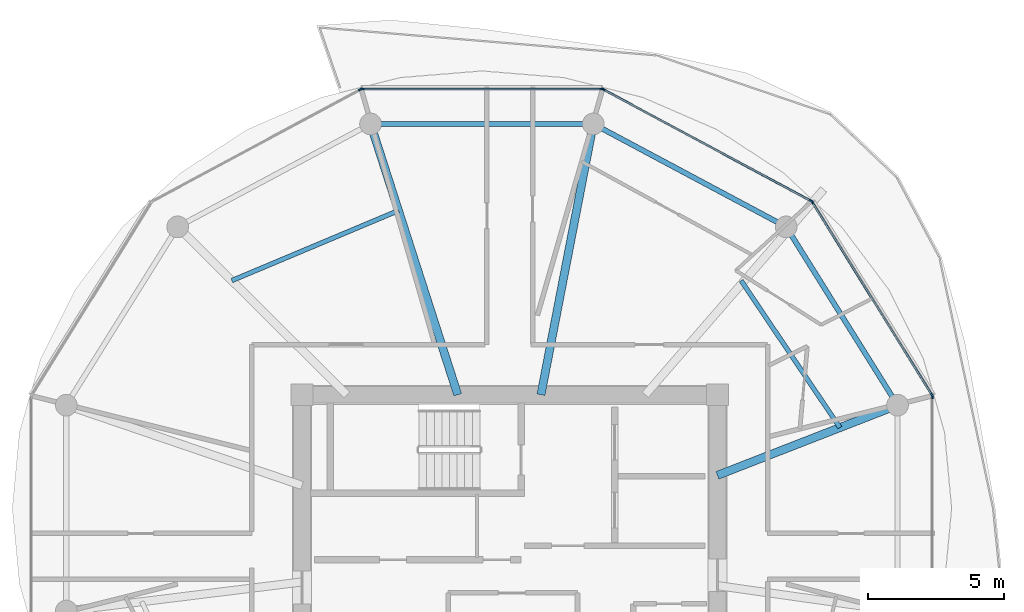
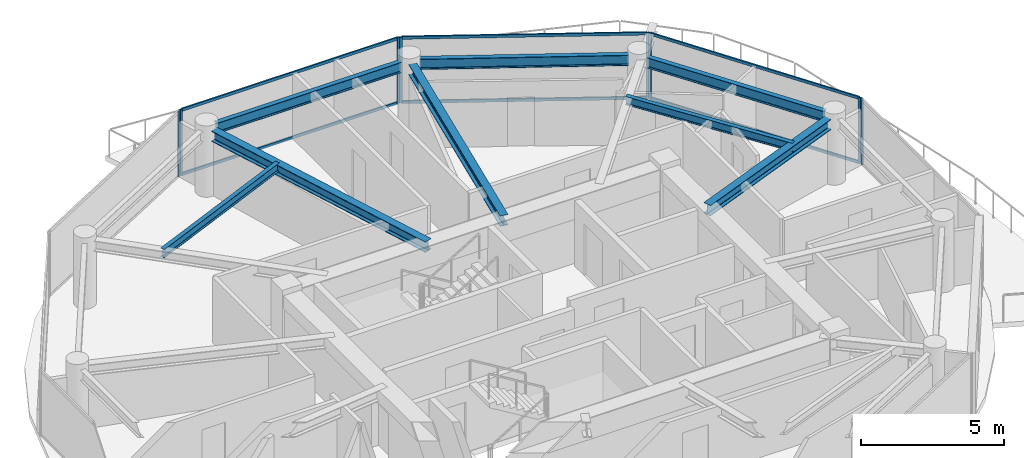
# One storey, part 10 of 22: 14 members, 8 beams, 5 elements without a shape of their own.
"""IFC4 building model written with IfcOpenShell, lengths in metres."""

from ifc_helpers import new_model, si_unit, direction, frame, origin, origin_2d, place, context, subcontext, project, spatial, rectangle, i_section, extrude, source, transform, mapped, material, layer, layer_set, material_profile, profile_set, type_object, type_shapes, element, aggregate, save


model = new_model("IFC4")

# Units and contexts
model_context = context("Model", 3, precision=1e-05, world=origin(), true_north=direction((0.0, 1.0)))
body_context = subcontext(model_context, "Body", "Model", "MODEL_VIEW")
ifc_project = project(units=[si_unit("LENGTHUNIT", "METRE"), si_unit("AREAUNIT", "SQUARE_METRE"), si_unit("VOLUMEUNIT", "CUBIC_METRE"), si_unit("PLANEANGLEUNIT", "RADIAN"), si_unit("MASSUNIT", "GRAM", prefix="KILO")], contexts=[model_context])

# Site, building, storey
site_placement = place(None, origin())
site = spatial("IfcSite", under=ifc_project, at=site_placement, CompositionType="ELEMENT")
building_placement = place(site_placement, origin())
building = spatial("IfcBuilding", under=site, at=building_placement, Name="Norrkilde Senior Care Towers", CompositionType="ELEMENT")
storey_placement = place(building_placement, frame((0.0, 0.0, 167.85009765625)))
storey = spatial("IfcBuildingStorey", under=building, at=storey_placement, Name="L52", CompositionType="ELEMENT", Elevation=167.85009765625)

# Beams
ifc_material_1 = material(Name="Steel S355", Category="steel")
ifc_material_profile_1 = material_profile(ifc_material_1, i_section(OverallWidth=0.18994140625, OverallDepth=0.449951171875, WebThickness=0.009521484375, FlangeThickness=0.0146484375, FilletRadius=0.02099609375, at=origin_2d()), Name="IPE 450")
ifc_profile_set_1 = profile_set([ifc_material_profile_1], Name="Steel S355")
beam_type_1 = type_object("IfcBeamType", Name="Perimeter Ring Spandrel Z3 IPE450", PredefinedType="SPANDREL", material=ifc_profile_set_1)
shared_shape_1 = source(origin(), body_context, "Body", "SweptSolid", [
    extrude(i_section(OverallWidth=0.18994140625, OverallDepth=0.449951171875, WebThickness=0.009521484375, FlangeThickness=0.0146484375, FilletRadius=0.02099609375, at=origin_2d()), origin(), (0.0, 0.0, 1.0), 7.0234375),
])
beam_1_placement = place(storey_placement, frame((42.09423828125, 5.872314453125, 2.5849609375), z_axis=(-0.529789577822, 0.848129119433, 0.0), x_axis=(-0.848129119433, -0.529789577822, 0.0)))
element("IfcBeam", 1, at=beam_1_placement, inside=storey, type_object=beam_type_1, Name="L52 Drum E Perimeter Spandrel 01", PredefinedType="SPANDREL", context=body_context, shape_type="MappedRepresentation", body=[
    mapped(shared_shape_1, transform((0.0, 0.0, 0.0), x_axis=(1.0, 0.0, 0.0), y_axis=(0.0, 1.0, 0.0), z_axis=(0.0, 0.0, 1.0), scale=1.0)),
])
shared_shape_2 = source(origin(), body_context, "Body", "SweptSolid", [
    extrude(i_section(OverallWidth=0.18994140625, OverallDepth=0.449951171875, WebThickness=0.009521484375, FlangeThickness=0.0146484375, FilletRadius=0.02099609375, at=origin_2d()), origin(), (0.0, 0.0, 1.0), 7.333740234375),
])
beam_2_placement = place(storey_placement, frame((37.864990234375, 12.303955078125, 2.5849609375), z_axis=(-0.882247866069, 0.470785198172, 0.0), x_axis=(-0.470785198172, -0.882247866069, 0.0)))
element("IfcBeam", 2, at=beam_2_placement, inside=storey, type_object=beam_type_1, Name="L52 Drum E Perimeter Spandrel 02", PredefinedType="SPANDREL", context=body_context, shape_type="MappedRepresentation", body=[
    mapped(shared_shape_2, transform((0.0, 0.0, 0.0), x_axis=(1.0, 0.0, 0.0), y_axis=(0.0, 1.0, 0.0), z_axis=(0.0, 0.0, 1.0), scale=1.0)),
])
shared_shape_3 = source(origin(), body_context, "Body", "SweptSolid", [
    extrude(i_section(OverallWidth=0.18994140625, OverallDepth=0.449951171875, WebThickness=0.009521484375, FlangeThickness=0.0146484375, FilletRadius=0.02099609375, at=origin_2d()), origin(), (0.0, 0.0, 1.0), 7.484619140625),
])
type_shapes(beam_type_1, [shared_shape_1, shared_shape_2, shared_shape_3])
beam_3_placement = place(storey_placement, frame((30.71728515625, 15.92626953125, 2.5849609375), z_axis=(-1.0, 0.0, 0.0), x_axis=(0.0, -1.0, 0.0)))
element("IfcBeam", 3, at=beam_3_placement, inside=storey, type_object=beam_type_1, Name="L52 Drum E Perimeter Spandrel 03", PredefinedType="SPANDREL", context=body_context, shape_type="MappedRepresentation", body=[
    mapped(shared_shape_3, transform((0.0, 0.0, 0.0), x_axis=(1.0, 0.0, 0.0), y_axis=(0.0, 1.0, 0.0), z_axis=(0.0, 0.0, 1.0), scale=1.0)),
])
ifc_material_profile_2 = material_profile(ifc_material_1, i_section(OverallWidth=0.300048828125, OverallDepth=0.449951171875, WebThickness=0.013916015625, FlangeThickness=0.02587890625, FilletRadius=0.027099609375, at=origin_2d()), Name="HEB 450")
ifc_profile_set_2 = profile_set([ifc_material_profile_2], Name="Steel S355")
beam_type_2 = type_object("IfcBeamType", Name="Radial Floor Beam Z3 HEB450", PredefinedType="BEAM", material=ifc_profile_set_2)
shared_shape_4 = source(origin(), body_context, "Body", "SweptSolid", [
    extrude(i_section(OverallWidth=0.300048828125, OverallDepth=0.449951171875, WebThickness=0.013916015625, FlangeThickness=0.02587890625, FilletRadius=0.027099609375, at=origin_2d()), origin(), (0.0, 0.0, 1.0), 10.120361328125),
])
beam_4_placement = place(storey_placement, frame((26.08447265625, 5.949951171875, 2.5849609375), z_axis=(-0.306440973744, 0.951889662519, 0.0), x_axis=(-0.951889662519, -0.306440973744, 0.0)))
element("IfcBeam", 4, at=beam_4_placement, inside=storey, type_object=beam_type_2, Name="L52 Drum E Radial Floor Beam 04", PredefinedType="BEAM", context=body_context, shape_type="MappedRepresentation", body=[
    mapped(shared_shape_4, transform((0.0, 0.0, 0.0), x_axis=(1.0, 0.0, 0.0), y_axis=(0.0, 1.0, 0.0), z_axis=(0.0, 0.0, 1.0), scale=1.0)),
])
shared_shape_5 = source(origin(), body_context, "Body", "SweptSolid", [
    extrude(i_section(OverallWidth=0.300048828125, OverallDepth=0.449951171875, WebThickness=0.013916015625, FlangeThickness=0.02587890625, FilletRadius=0.027099609375, at=origin_2d()), origin(), (0.0, 0.0, 1.0), 9.80078125),
])
beam_5_placement = place(storey_placement, frame((29.149658203125, 5.949951171875, 2.5849609375), z_axis=(0.189716727661, 0.98183886827, 0.0), x_axis=(-0.98183886827, 0.189716727661, 0.0)))
element("IfcBeam", 5, at=beam_5_placement, inside=storey, type_object=beam_type_2, Name="L52 Drum E Radial Floor Beam 03", PredefinedType="BEAM", context=body_context, shape_type="MappedRepresentation", body=[
    mapped(shared_shape_5, transform((0.0, 0.0, 0.0), x_axis=(1.0, 0.0, 0.0), y_axis=(0.0, 1.0, 0.0), z_axis=(0.0, 0.0, 1.0), scale=1.0)),
])
shared_shape_6 = source(origin(), body_context, "Body", "SweptSolid", [
    extrude(i_section(OverallWidth=0.300048828125, OverallDepth=0.449951171875, WebThickness=0.013916015625, FlangeThickness=0.02587890625, FilletRadius=0.027099609375, at=origin_2d()), origin(), (0.0, 0.0, 1.0), 6.760986328125),
])
type_shapes(beam_type_2, [shared_shape_4, shared_shape_5, shared_shape_6])
beam_6_placement = place(storey_placement, frame((35.64990234375, 2.981201171875, 2.5849609375), z_axis=(0.931742171387, 0.363120539297, 0.0), x_axis=(-0.363120539297, 0.931742171387, 0.0)))
element("IfcBeam", 6, at=beam_6_placement, inside=storey, type_object=beam_type_2, Name="L52 Drum E Radial Floor Beam 01", PredefinedType="BEAM", context=body_context, shape_type="MappedRepresentation", body=[
    mapped(shared_shape_6, transform((0.0, 0.0, 0.0), x_axis=(1.0, 0.0, 0.0), y_axis=(0.0, 1.0, 0.0), z_axis=(0.0, 0.0, 1.0), scale=1.0)),
])
ifc_material_profile_3 = material_profile(ifc_material_1, i_section(OverallWidth=0.169921875, OverallDepth=0.360107421875, WebThickness=0.008056640625, FlangeThickness=0.0126953125, FilletRadius=0.01806640625, at=origin_2d()), Name="IPE 360")
ifc_profile_set_3 = profile_set([ifc_material_profile_3], Name="Steel S355")
beam_type_3 = type_object("IfcBeamType", Name="Secondary Floor Joist IPE360", PredefinedType="JOIST", material=ifc_profile_set_3)
shared_shape_7 = source(origin(), body_context, "Body", "SweptSolid", [
    extrude(i_section(OverallWidth=0.169921875, OverallDepth=0.360107421875, WebThickness=0.008056640625, FlangeThickness=0.0126953125, FilletRadius=0.01806640625, at=origin_2d()), origin(), (0.0, 0.0, 1.0), 6.657470703125),
])
beam_7_placement = place(storey_placement, frame((23.900390625, 12.73388671875, 2.6298828125), z_axis=(-0.921958799252, -0.387287971, 0.0), x_axis=(0.387287971, -0.921958799252, 0.0)))
element("IfcBeam", 7, at=beam_7_placement, inside=storey, type_object=beam_type_3, Name="L52 Drum E Secondary Floor Joist 2", PredefinedType="JOIST", context=body_context, shape_type="MappedRepresentation", body=[
    mapped(shared_shape_7, transform((0.0, 0.0, 0.0), x_axis=(1.0, 0.0, 0.0), y_axis=(0.0, 1.0, 0.0), z_axis=(0.0, 0.0, 1.0), scale=1.0)),
])
shared_shape_8 = source(origin(), body_context, "Body", "SweptSolid", [
    extrude(i_section(OverallWidth=0.169921875, OverallDepth=0.360107421875, WebThickness=0.008056640625, FlangeThickness=0.0126953125, FilletRadius=0.01806640625, at=origin_2d()), origin(), (0.0, 0.0, 1.0), 6.525390625),
])
type_shapes(beam_type_3, [shared_shape_7, shared_shape_8])
beam_8_placement = place(storey_placement, frame((40.161865234375, 4.739501953125, 2.6298828125), z_axis=(-0.55779590102, 0.829978152005, 0.0), x_axis=(-0.829978152005, -0.55779590102, 0.0)))
element("IfcBeam", 8, at=beam_8_placement, inside=storey, type_object=beam_type_3, Name="L52 Drum E Secondary Floor Joist 1", PredefinedType="JOIST", context=body_context, shape_type="MappedRepresentation", body=[
    mapped(shared_shape_8, transform((0.0, 0.0, 0.0), x_axis=(1.0, 0.0, 0.0), y_axis=(0.0, 1.0, 0.0), z_axis=(0.0, 0.0, 1.0), scale=1.0)),
])

# Curtain wall, members
ifc_material_2 = material(Name="Triple Low-E Insulated Glazing", Category="glass")
ifc_layer = layer(ifc_material_2, 0.18994140625)
ifc_layer_set = layer_set([ifc_layer], Name="Triple Low-E Insulated Glazing")
curtain_wall_type = type_object("IfcCurtainWallType", Name="CW4 Zone 3 Senior Residence Curtain Wall", PredefinedType="NOTDEFINED", material=ifc_layer_set)
curtain_wall_1_placement = place(storey_placement, origin())
curtain_wall_1 = element("IfcCurtainWall", 9, at=curtain_wall_1_placement, inside=storey, type_object=curtain_wall_type, Name="L52 Drum E Curtain Wall 00", PredefinedType="NOTDEFINED")
ifc_material_3 = material(Name="Anodised Aluminium", Category="aluminium")
ifc_material_profile_4 = material_profile(ifc_material_3, rectangle(XDim=0.06005859375, YDim=0.1201171875, at=origin_2d()), Name="ALU TRAN 60x120")
ifc_profile_set_4 = profile_set([ifc_material_profile_4], Name="Anodised Aluminium")
member_type_1 = type_object("IfcMemberType", Name="Curtain Wall Transom Typical 60x120", PredefinedType="USERDEFINED", material=ifc_profile_set_4)
shared_shape_9 = source(origin(), body_context, "Body", "SweptSolid", [
    extrude(rectangle(XDim=0.06005859375, YDim=0.1201171875, at=origin_2d()), origin(), (0.0, 0.0, 1.0), 8.301513671875),
])
member_1_placement = place(storey_placement, frame((39.157470703125, 13.019775390625, 0.02978515625), z_axis=(0.527368718394, -0.849636531029, 0.0), x_axis=(0.849636531029, 0.527368718394, 0.0)))
member_1 = element("IfcMember", 10, at=member_1_placement, type_object=member_type_1, Name="CW-4 transom 1.1", ObjectType="TRANSOM", PredefinedType="USERDEFINED", context=body_context, shape_type="MappedRepresentation", body=[
    mapped(shared_shape_9, transform((0.0, 0.0, 0.0), x_axis=(1.0, 0.0, 0.0), y_axis=(0.0, 1.0, 0.0), z_axis=(0.0, 0.0, 1.0), scale=1.0)),
])
member_2_placement = place(storey_placement, frame((39.157470703125, 13.019775390625, 2.77978515625), z_axis=(0.527368718394, -0.849636531029, 0.0), x_axis=(0.849636531029, 0.527368718394, 0.0)))
member_2 = element("IfcMember", 11, at=member_2_placement, type_object=member_type_1, Name="CW-4 transom 1.2", ObjectType="TRANSOM", PredefinedType="USERDEFINED", context=body_context, shape_type="MappedRepresentation", body=[
    mapped(shared_shape_9, transform((0.0, 0.0, 0.0), x_axis=(1.0, 0.0, 0.0), y_axis=(0.0, 1.0, 0.0), z_axis=(0.0, 0.0, 1.0), scale=1.0)),
])

curtain_wall_2_placement = place(storey_placement, origin())
curtain_wall_2 = element("IfcCurtainWall", 12, at=curtain_wall_2_placement, inside=storey, type_object=curtain_wall_type, Name="L52 Drum E Curtain Wall 02", PredefinedType="NOTDEFINED")
shared_shape_10 = source(origin(), body_context, "Body", "SweptSolid", [
    extrude(rectangle(XDim=0.06005859375, YDim=0.1201171875, at=origin_2d()), origin(), (0.0, 0.0, 1.0), 8.762939453125),
])
member_3_placement = place(storey_placement, frame((22.593505859375, 17.2109375, 0.02978515625), z_axis=(1.0, 0.0, 0.0), x_axis=(0.0, 1.0, 0.0)))
member_3 = element("IfcMember", 13, at=member_3_placement, type_object=member_type_1, Name="CW-4 transom 1.1", ObjectType="TRANSOM", PredefinedType="USERDEFINED", context=body_context, shape_type="MappedRepresentation", body=[
    mapped(shared_shape_10, transform((0.0, 0.0, 0.0), x_axis=(1.0, 0.0, 0.0), y_axis=(0.0, 1.0, 0.0), z_axis=(0.0, 0.0, 1.0), scale=1.0)),
])
member_4_placement = place(storey_placement, frame((22.593505859375, 17.2109375, 2.77978515625), z_axis=(1.0, 0.0, 0.0), x_axis=(0.0, 1.0, 0.0)))
member_4 = element("IfcMember", 14, at=member_4_placement, type_object=member_type_1, Name="CW-4 transom 1.2", ObjectType="TRANSOM", PredefinedType="USERDEFINED", context=body_context, shape_type="MappedRepresentation", body=[
    mapped(shared_shape_10, transform((0.0, 0.0, 0.0), x_axis=(1.0, 0.0, 0.0), y_axis=(0.0, 1.0, 0.0), z_axis=(0.0, 0.0, 1.0), scale=1.0)),
])

curtain_wall_3_placement = place(storey_placement, origin())
curtain_wall_3 = element("IfcCurtainWall", 15, at=curtain_wall_3_placement, inside=storey, type_object=curtain_wall_type, Name="L52 Drum E Curtain Wall 01", PredefinedType="NOTDEFINED")
shared_shape_11 = source(origin(), body_context, "Body", "SweptSolid", [
    extrude(rectangle(XDim=0.06005859375, YDim=0.1201171875, at=origin_2d()), origin(), (0.0, 0.0, 1.0), 8.612060546875),
])
type_shapes(member_type_1, [shared_shape_9, shared_shape_10, shared_shape_11])
member_5_placement = place(storey_placement, frame((31.478759765625, 17.18017578125, 0.02978515625), z_axis=(0.881000337462, -0.473115636384, 0.0), x_axis=(0.473115636384, 0.881000337462, 0.0)))
member_5 = element("IfcMember", 16, at=member_5_placement, type_object=member_type_1, Name="CW-4 transom 1.1", ObjectType="TRANSOM", PredefinedType="USERDEFINED", context=body_context, shape_type="MappedRepresentation", body=[
    mapped(shared_shape_11, transform((0.0, 0.0, 0.0), x_axis=(1.0, 0.0, 0.0), y_axis=(0.0, 1.0, 0.0), z_axis=(0.0, 0.0, 1.0), scale=1.0)),
])
member_6_placement = place(storey_placement, frame((31.478759765625, 17.18017578125, 2.77978515625), z_axis=(0.881000337462, -0.473115636384, 0.0), x_axis=(0.473115636384, 0.881000337462, 0.0)))
member_6 = element("IfcMember", 17, at=member_6_placement, type_object=member_type_1, Name="CW-4 transom 1.2", ObjectType="TRANSOM", PredefinedType="USERDEFINED", context=body_context, shape_type="MappedRepresentation", body=[
    mapped(shared_shape_11, transform((0.0, 0.0, 0.0), x_axis=(1.0, 0.0, 0.0), y_axis=(0.0, 1.0, 0.0), z_axis=(0.0, 0.0, 1.0), scale=1.0)),
])

# Member
ifc_material_profile_5 = material_profile(ifc_material_3, rectangle(XDim=0.06494140625, YDim=0.14990234375, at=origin_2d()), Name="ALU MULL 65x150")
ifc_profile_set_5 = profile_set([ifc_material_profile_5], Name="Anodised Aluminium")
member_type_2 = type_object("IfcMemberType", Name="Curtain Wall Mullion Z3-Z4 65x150", PredefinedType="MULLION", material=ifc_profile_set_5)
shared_shape_12 = source(origin(), body_context, "Body", "SweptSolid", [
    extrude(rectangle(XDim=0.06494140625, YDim=0.14990234375, at=origin_2d()), origin(), (0.0, 0.0, 1.0), 2.809814453125),
])
type_shapes(member_type_2, [shared_shape_12])
member_7_placement = place(storey_placement, frame((39.14013671875, 13.04736328125, 0.0), z_axis=(0.0, 0.0, 1.0), x_axis=(0.84963405474, 0.52737270789, 0.0)))
member_7 = element("IfcMember", 18, at=member_7_placement, type_object=member_type_2, Name="CW-4 mullion 1", PredefinedType="MULLION", context=body_context, shape_type="MappedRepresentation", body=[
    mapped(shared_shape_12, transform((0.0, 0.0, 0.0), x_axis=(1.0, 0.0, 0.0), y_axis=(0.0, 1.0, 0.0), z_axis=(0.0, 0.0, 1.0), scale=1.0)),
])

member_8_placement = place(storey_placement, frame((43.552490234375, 5.93896484375, 0.0), z_axis=(0.0, 0.0, 1.0), x_axis=(0.84963405474, 0.52737270789, 0.0)))
member_8 = element("IfcMember", 19, at=member_8_placement, type_object=member_type_2, Name="CW-4 mullion 2", PredefinedType="MULLION", context=body_context, shape_type="MappedRepresentation", body=[
    mapped(shared_shape_12, transform((0.0, 0.0, 0.0), x_axis=(1.0, 0.0, 0.0), y_axis=(0.0, 1.0, 0.0), z_axis=(0.0, 0.0, 1.0), scale=1.0)),
])

aggregate(curtain_wall_1, [member_7, member_8, member_1, member_2])

member_9_placement = place(storey_placement, frame((31.4501953125, 17.195556640625, 0.0), z_axis=(0.0, 0.0, 1.0), x_axis=(0.47311715104, 0.880999524059, 0.0)))
member_9 = element("IfcMember", 20, at=member_9_placement, type_object=member_type_2, Name="CW-4 mullion 1", PredefinedType="MULLION", context=body_context, shape_type="MappedRepresentation", body=[
    mapped(shared_shape_12, transform((0.0, 0.0, 0.0), x_axis=(1.0, 0.0, 0.0), y_axis=(0.0, 1.0, 0.0), z_axis=(0.0, 0.0, 1.0), scale=1.0)),
])

member_10_placement = place(storey_placement, frame((39.094482421875, 13.09033203125, 0.0), z_axis=(0.0, 0.0, 1.0), x_axis=(0.47311715104, 0.880999524059, 0.0)))
member_10 = element("IfcMember", 21, at=member_10_placement, type_object=member_type_2, Name="CW-4 mullion 2", PredefinedType="MULLION", context=body_context, shape_type="MappedRepresentation", body=[
    mapped(shared_shape_12, transform((0.0, 0.0, 0.0), x_axis=(1.0, 0.0, 0.0), y_axis=(0.0, 1.0, 0.0), z_axis=(0.0, 0.0, 1.0), scale=1.0)),
])

aggregate(curtain_wall_3, [member_9, member_10, member_5, member_6])

member_11_placement = place(storey_placement, frame((22.56103515625, 17.2109375, 0.0), z_axis=(0.0, 0.0, 1.0), x_axis=(0.0, 1.0, 0.0)))
member_11 = element("IfcMember", 22, at=member_11_placement, type_object=member_type_2, Name="CW-4 mullion 1", PredefinedType="MULLION", context=body_context, shape_type="MappedRepresentation", body=[
    mapped(shared_shape_12, transform((0.0, 0.0, 0.0), x_axis=(1.0, 0.0, 0.0), y_axis=(0.0, 1.0, 0.0), z_axis=(0.0, 0.0, 1.0), scale=1.0)),
])

member_12_placement = place(storey_placement, frame((31.388916015625, 17.2109375, 0.0), z_axis=(0.0, 0.0, 1.0), x_axis=(0.0, 1.0, 0.0)))
member_12 = element("IfcMember", 23, at=member_12_placement, type_object=member_type_2, Name="CW-4 mullion 2", PredefinedType="MULLION", context=body_context, shape_type="MappedRepresentation", body=[
    mapped(shared_shape_12, transform((0.0, 0.0, 0.0), x_axis=(1.0, 0.0, 0.0), y_axis=(0.0, 1.0, 0.0), z_axis=(0.0, 0.0, 1.0), scale=1.0)),
])

aggregate(curtain_wall_2, [member_11, member_12, member_3, member_4])

# Curtain wall, member
curtain_wall_4_placement = place(storey_placement, origin())
curtain_wall_4 = element("IfcCurtainWall", 24, at=curtain_wall_4_placement, inside=storey, type_object=curtain_wall_type, Name="L52 Drum E Curtain Wall 03", PredefinedType="NOTDEFINED")
member_13_placement = place(storey_placement, frame((22.499755859375, 17.195556640625, 0.0), z_axis=(0.0, 0.0, 1.0), x_axis=(-0.47311715104, 0.880999524059, 0.0)))
member_13 = element("IfcMember", 25, at=member_13_placement, type_object=member_type_2, Name="CW-4 mullion 2", PredefinedType="MULLION", context=body_context, shape_type="MappedRepresentation", body=[
    mapped(shared_shape_12, transform((0.0, 0.0, 0.0), x_axis=(1.0, 0.0, 0.0), y_axis=(0.0, 1.0, 0.0), z_axis=(0.0, 0.0, 1.0), scale=1.0)),
])
aggregate(curtain_wall_4, [member_13])

curtain_wall_5_placement = place(storey_placement, origin())
curtain_wall_5 = element("IfcCurtainWall", 26, at=curtain_wall_5_placement, inside=storey, type_object=curtain_wall_type, Name="L52 Drum E Curtain Wall 11", PredefinedType="NOTDEFINED")
member_14_placement = place(storey_placement, frame((43.569580078125, 5.878662109375, 0.0), z_axis=(0.0, 0.0, 1.0), x_axis=(1.0, 0.0, 0.0)))
member_14 = element("IfcMember", 27, at=member_14_placement, type_object=member_type_2, Name="CW-4 mullion 1", PredefinedType="MULLION", context=body_context, shape_type="MappedRepresentation", body=[
    mapped(shared_shape_12, transform((0.0, 0.0, 0.0), x_axis=(1.0, 0.0, 0.0), y_axis=(0.0, 1.0, 0.0), z_axis=(0.0, 0.0, 1.0), scale=1.0)),
])
aggregate(curtain_wall_5, [member_14])

save(model, "model.ifc")
